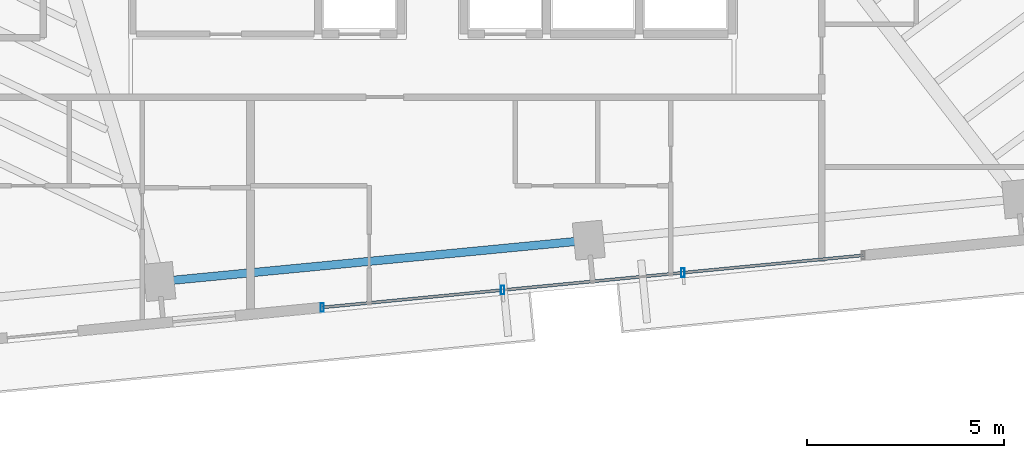
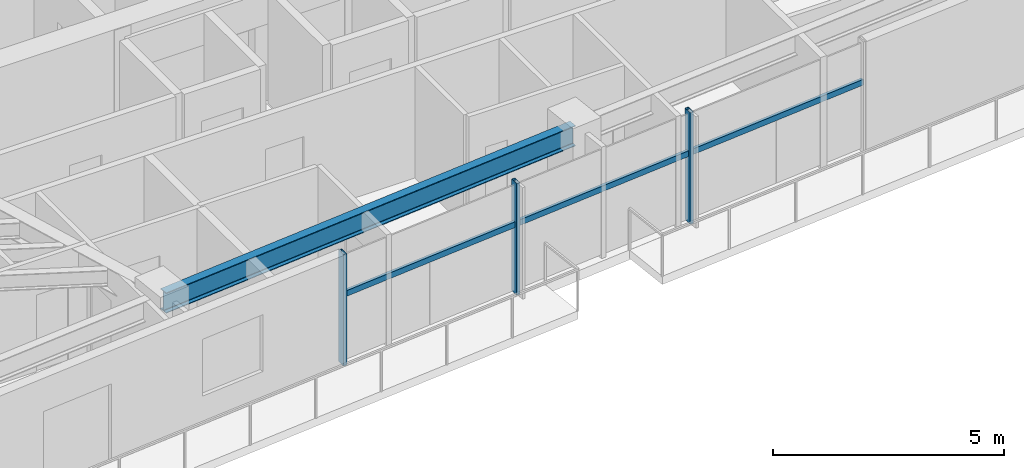
# One storey, part 4 of 18: 6 members, 1 beam, 1 element without a shape of its own.
"""IFC4 building model written with IfcOpenShell, lengths in metres."""

from ifc_helpers import new_model, si_unit, direction, frame, origin, origin_2d, place, context, subcontext, project, spatial, hollow_rectangle, i_section, extrude, source, transform, mapped, material, material_profile, profile_set, type_object, type_shapes, element, aggregate, save


model = new_model("IFC4")

# Units and contexts
model_context = context("Model", 3, precision=1e-05, world=origin(), true_north=direction((0.0, 1.0)))
body_context = subcontext(model_context, "Body", "Model", "MODEL_VIEW")
ifc_project = project(units=[si_unit("LENGTHUNIT", "METRE"), si_unit("AREAUNIT", "SQUARE_METRE"), si_unit("VOLUMEUNIT", "CUBIC_METRE"), si_unit("PLANEANGLEUNIT", "RADIAN"), si_unit("MASSUNIT", "GRAM", prefix="KILO")], contexts=[model_context])

# Site, building, storey
site_placement = place(None, origin())
site = spatial("IfcSite", under=ifc_project, at=site_placement, CompositionType="ELEMENT")
building_placement = place(site_placement, origin())
building = spatial("IfcBuilding", under=site, at=building_placement, Name="Astriad Promenade Condominiums", CompositionType="ELEMENT")
storey_placement = place(building_placement, frame((0.0, 0.0, 173.0)))
storey = spatial("IfcBuildingStorey", under=building, at=storey_placement, Name="L49", CompositionType="ELEMENT", Elevation=173.0)

# Beam
ifc_material_1 = material(Name="Steel ASTM A992 Grade 50", Category="steel")
ifc_material_profile_1 = material_profile(ifc_material_1, i_section(OverallWidth=0.210693359375, OverallDepth=0.53955078125, WebThickness=0.01171875, FlangeThickness=0.018798828125, FilletRadius=0.0166015625, at=origin_2d()), Name="W21X73")
ifc_profile_set_1 = profile_set([ifc_material_profile_1], Name="Steel ASTM A992 Grade 50")
beam_type = type_object("IfcBeamType", Name="STEEL SPANDREL BEAM W21X73", PredefinedType="SPANDREL", material=ifc_profile_set_1)
shared_shape_1 = source(origin(), body_context, "Body", "SweptSolid", [
    extrude(i_section(OverallWidth=0.210693359375, OverallDepth=0.53955078125, WebThickness=0.01171875, FlangeThickness=0.018798828125, FilletRadius=0.0166015625, at=origin_2d()), origin(), (0.0, 0.0, 1.0), 10.8701171875),
])
type_shapes(beam_type, [shared_shape_1])
beam_placement = place(storey_placement, frame((29.10888671875, 8.47119140625, 2.67041015625), z_axis=(0.995394986184, 0.09585834069, 0.0), x_axis=(-0.09585834069, 0.995394986184, 0.0)))
element("IfcBeam", 1, at=beam_placement, inside=storey, type_object=beam_type, Name="Perimeter Spandrel Beam SP-S2-L49", PredefinedType="SPANDREL", context=body_context, shape_type="MappedRepresentation", body=[
    mapped(shared_shape_1, transform((0.0, 0.0, 0.0), scale=1.0)),
])

# Curtain wall, members
ifc_material_2 = material(Name="Anodised aluminium Black Dark Glass Unitised", Category="aluminium")
curtain_wall_type = type_object("IfcCurtainWallType", Name="CW-B34-DARK", PredefinedType="USERDEFINED", material=ifc_material_2)
curtain_wall_placement = place(storey_placement, origin())
curtain_wall = element("IfcCurtainWall", 2, at=curtain_wall_placement, inside=storey, type_object=curtain_wall_type, Name="CW-L49-S", ObjectType="UNITISED_CURTAIN_WALL", PredefinedType="USERDEFINED")
ifc_material_3 = material(Name="Anodised aluminium 6063-T6 Black", Category="aluminium")
ifc_material_profile_2 = material_profile(ifc_material_3, hollow_rectangle(XDim=0.0849609375, YDim=0.219970703125, WallThickness=0.0048828125, at=origin_2d()), Name="ALU-MUL-85X220")
ifc_profile_set_2 = profile_set([ifc_material_profile_2], Name="Anodised aluminium 6063-T6 Black")
member_type_1 = type_object("IfcMemberType", Name="MUL-ALU-MUL-85X220", PredefinedType="MULLION", material=ifc_profile_set_2)
shared_shape_2 = source(origin(), body_context, "Body", "SweptSolid", [
    extrude(hollow_rectangle(XDim=0.0849609375, YDim=0.219970703125, WallThickness=0.0048828125, at=origin_2d()), origin(), (0.0, 0.0, 1.0), 2.93994140625),
])
type_shapes(member_type_1, [shared_shape_2])
member_1_placement = place(storey_placement, frame((42.358642578125, 8.692138671875, 0.0), z_axis=(0.0, 0.0, 1.0), x_axis=(1.0, 0.0, 0.0)))
member_1 = element("IfcMember", 3, at=member_1_placement, type_object=member_type_1, Name="CW-L49-S-MUL-01", PredefinedType="MULLION", context=body_context, shape_type="MappedRepresentation", body=[
    mapped(shared_shape_2, transform((0.0, 0.0, 0.0), scale=1.0)),
])
member_2_placement = place(storey_placement, frame((37.77978515625, 8.251220703125, 0.0), z_axis=(0.0, 0.0, 1.0), x_axis=(1.0, 0.0, 0.0)))
member_2 = element("IfcMember", 4, at=member_2_placement, type_object=member_type_1, Name="CW-L49-S-MUL-02", PredefinedType="MULLION", context=body_context, shape_type="MappedRepresentation", body=[
    mapped(shared_shape_2, transform((0.0, 0.0, 0.0), scale=1.0)),
])
member_3_placement = place(storey_placement, frame((33.201171875, 7.810302734375, 0.0), z_axis=(0.0, 0.0, 1.0), x_axis=(1.0, 0.0, 0.0)))
member_3 = element("IfcMember", 5, at=member_3_placement, type_object=member_type_1, Name="CW-L49-S-MUL-03", PredefinedType="MULLION", context=body_context, shape_type="MappedRepresentation", body=[
    mapped(shared_shape_2, transform((0.0, 0.0, 0.0), scale=1.0)),
])
ifc_material_profile_3 = material_profile(ifc_material_3, hollow_rectangle(XDim=0.074951171875, YDim=0.14990234375, WallThickness=0.004150390625, at=origin_2d()), Name="ALU-TRN-75X150")
ifc_profile_set_3 = profile_set([ifc_material_profile_3], Name="Anodised aluminium 6063-T6 Black")
member_type_2 = type_object("IfcMemberType", Name="TRN-ALU-TRN-75X150", PredefinedType="USERDEFINED", material=ifc_profile_set_3)
shared_shape_3 = source(origin(), body_context, "Body", "SweptSolid", [
    extrude(hollow_rectangle(XDim=0.074951171875, YDim=0.14990234375, WallThickness=0.004150390625, at=origin_2d()), origin(), (0.0, 0.0, 1.0), 4.60009765625),
])
member_4_placement = place(storey_placement, frame((46.9375, 9.133056640625, 1.82275390625), z_axis=(-0.995395697572, -0.095850953336, 0.0), x_axis=(0.095850953336, -0.995395697572, 0.0)))
member_4 = element("IfcMember", 6, at=member_4_placement, type_object=member_type_2, Name="CW-L49-S-TRN-00-0", ObjectType="TRANSOM", PredefinedType="USERDEFINED", context=body_context, shape_type="MappedRepresentation", body=[
    mapped(shared_shape_3, transform((0.0, 0.0, 0.0), scale=1.0)),
])
member_5_placement = place(storey_placement, frame((42.358642578125, 8.692138671875, 1.82275390625), z_axis=(-0.995395697572, -0.095850953336, 0.0), x_axis=(0.095850953336, -0.995395697572, 0.0)))
member_5 = element("IfcMember", 7, at=member_5_placement, type_object=member_type_2, Name="CW-L49-S-TRN-01-0", ObjectType="TRANSOM", PredefinedType="USERDEFINED", context=body_context, shape_type="MappedRepresentation", body=[
    mapped(shared_shape_3, transform((0.0, 0.0, 0.0), scale=1.0)),
])
shared_shape_4 = source(origin(), body_context, "Body", "SweptSolid", [
    extrude(hollow_rectangle(XDim=0.074951171875, YDim=0.14990234375, WallThickness=0.004150390625, at=origin_2d()), origin(), (0.0, 0.0, 1.0), 4.599853515625),
])
type_shapes(member_type_2, [shared_shape_3, shared_shape_4])
member_6_placement = place(storey_placement, frame((37.77978515625, 8.251220703125, 1.82275390625), z_axis=(-0.995395209924, -0.095856017336, 0.0), x_axis=(0.095856017336, -0.995395209924, 0.0)))
member_6 = element("IfcMember", 8, at=member_6_placement, type_object=member_type_2, Name="CW-L49-S-TRN-02-0", ObjectType="TRANSOM", PredefinedType="USERDEFINED", context=body_context, shape_type="MappedRepresentation", body=[
    mapped(shared_shape_4, transform((0.0, 0.0, 0.0), scale=1.0)),
])
aggregate(curtain_wall, [member_1, member_2, member_3, member_4, member_5, member_6])

save(model, "model.ifc")
